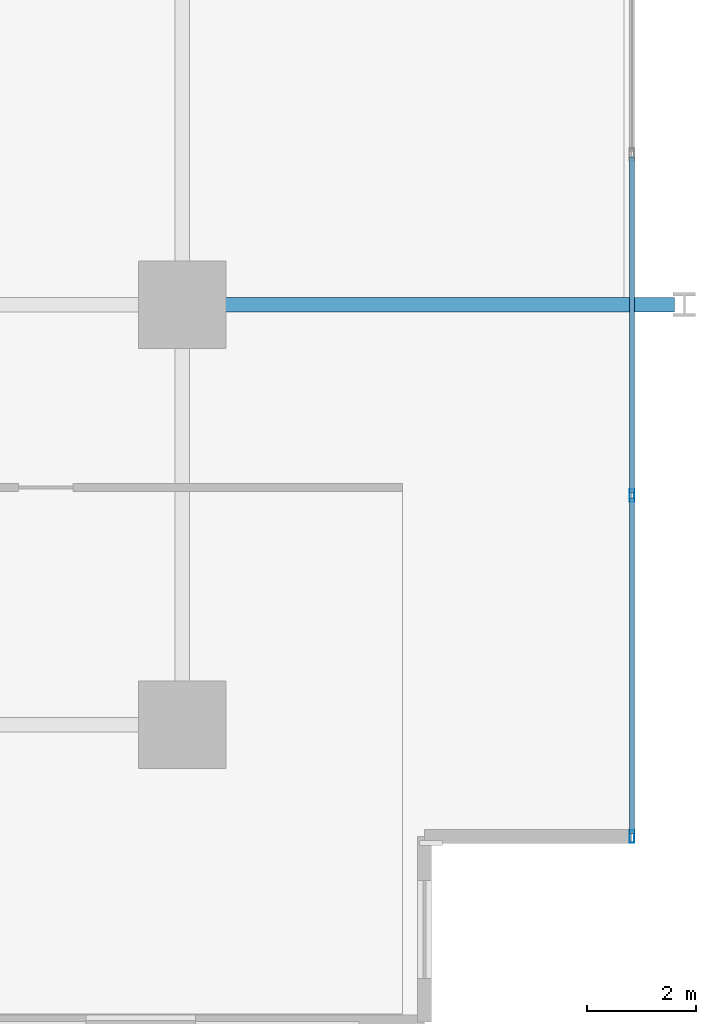
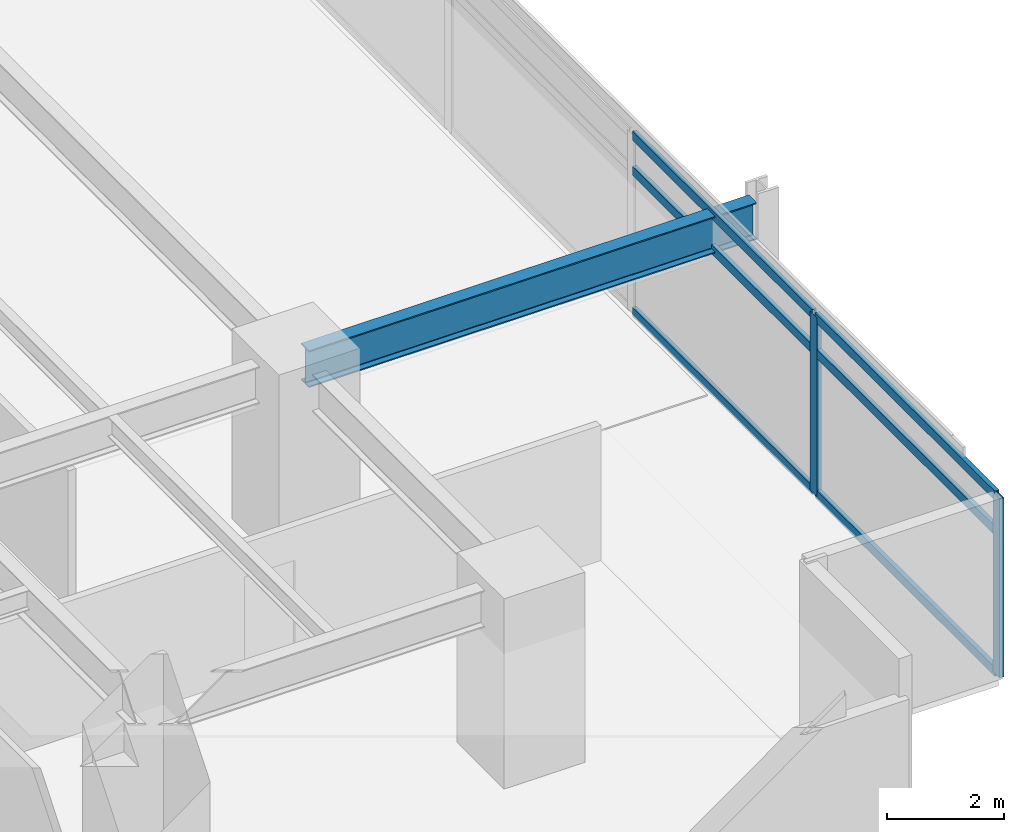
# One storey, part 6 of 22: 8 members, 1 beam, 1 element without a shape of its own.
"""IFC4 building model written with IfcOpenShell, lengths in metres."""

import ifcopenshell
import ifcopenshell.guid

model = None  # the IFC model being written
_history = None  # IfcOwnerHistory: only IFC2X3 demands one
_inside = {}  # id of a spatial element -> (the spatial element, [elements in it])
_under = {}  # id of a project, library or spatial element -> (it, [spatial elements below it])
_declared = {}  # id of a project -> (the project, [libraries it declares])
_typed = {}  # id of a type object -> (the type object, [elements of that type])
_made_of = {}  # id of a material, layer set ... -> (it, [elements and type objects made of it])


def new_model(schema):
    """Start an empty IFC model of exactly this schema.

    Asked for "IFC4X3", IfcOpenShell would pick the latest addendum, in which some entities
    have other attributes; the version numbers below select the first issue.
    IFC2X3 requires an IfcOwnerHistory on every rooted entity: one is made here for all.
    """
    global model, _history
    if schema == "IFC4X3":
        model = ifcopenshell.file(schema_version=(4, 3, 0, 0))
    else:
        model = ifcopenshell.file(schema=schema)
    _inside.clear()
    _under.clear()
    _declared.clear()
    _typed.clear()
    _made_of.clear()
    _history = None
    if model.schema == "IFC2X3":
        org = make("IfcOrganization", Name="unknown")
        user = make(
            "IfcPersonAndOrganization",
            ThePerson=make("IfcPerson", FamilyName="unknown"),
            TheOrganization=org,
        )
        app = make(
            "IfcApplication",
            ApplicationDeveloper=org,
            Version="unknown",
            ApplicationFullName="unknown",
            ApplicationIdentifier="unknown",
        )
        _history = make(
            "IfcOwnerHistory",
            OwningUser=user,
            OwningApplication=app,
            ChangeAction="ADDED",
            CreationDate=0,
        )
    return model


def make(cls, **values):
    """One entity of the class cls with the attributes given. An attribute that is None is left unset."""
    return model.create_entity(
        cls, **{name: value for name, value in values.items() if value is not None}
    )


def rooted(cls, **values):
    """An entity with a GlobalId (a new one), such as an element, a storey or a relation."""
    return make(cls, GlobalId=ifcopenshell.guid.new(), OwnerHistory=_history, **values)


def si_unit(unit_type, name, prefix=None):
    """IfcSIUnit, for example si_unit("LENGTHUNIT", "METRE", prefix="MILLI")."""
    return make("IfcSIUnit", UnitType=unit_type, Prefix=prefix, Name=name)


def assignment(units):
    """IfcUnitAssignment: the units of a project."""
    return None if units is None else make("IfcUnitAssignment", Units=units)


def point(xyz):
    """IfcCartesianPoint."""
    return None if xyz is None else make("IfcCartesianPoint", Coordinates=xyz)


def direction(xyz):
    """IfcDirection."""
    return None if xyz is None else make("IfcDirection", DirectionRatios=xyz)


def frame(location, z_axis=None, x_axis=None):
    """IfcAxis2Placement3D, a coordinate frame: its origin and axes. An axis left out is left unset."""
    return make(
        "IfcAxis2Placement3D",
        Location=point(location),
        Axis=direction(z_axis),
        RefDirection=direction(x_axis),
    )


def frame_2d(location, x_axis=None):
    """IfcAxis2Placement2D, a coordinate frame in the plane: its origin and x axis."""
    return make(
        "IfcAxis2Placement2D", Location=point(location), RefDirection=direction(x_axis)
    )


def origin():
    """The frame at (0, 0, 0) with its axes left unset."""
    return frame((0.0, 0.0, 0.0))


def origin_2d():
    """The frame at (0, 0) in the plane with its x axis left unset."""
    return frame_2d((0.0, 0.0))


def place(relative_to, where):
    """IfcLocalPlacement: puts the frame where relative to a parent placement (None: the world)."""
    return make(
        "IfcLocalPlacement", PlacementRelTo=relative_to, RelativePlacement=where
    )


def context(
    kind, dimensions, precision=None, world=None, true_north=None, identifier=None
):
    """IfcGeometricRepresentationContext, for example the 3D "Model" context."""
    return make(
        "IfcGeometricRepresentationContext",
        ContextIdentifier=identifier,
        ContextType=kind,
        CoordinateSpaceDimension=dimensions,
        Precision=precision,
        WorldCoordinateSystem=world,
        TrueNorth=true_north,
    )


def subcontext(parent, identifier, kind, view, scale=None):
    """IfcGeometricRepresentationSubContext, for example "Body" below "Model"."""
    return make(
        "IfcGeometricRepresentationSubContext",
        ContextIdentifier=identifier,
        ContextType=kind,
        ParentContext=parent,
        TargetScale=scale,
        TargetView=view,
    )


def project(units=None, contexts=None):
    """IfcProject with its units and contexts."""
    return rooted(
        "IfcProject",
        Name="project",
        RepresentationContexts=contexts,
        UnitsInContext=assignment(units),
    )


def spatial(cls, under=None, at=None, **own):
    """A site, building, storey or space (cls), placed at a placement, below another one or the project."""
    s = rooted(cls, ObjectPlacement=at, **own)
    if under is not None:
        _under.setdefault(under.id(), (under, []))[1].append(s)
    return s


def profile(cls, at=None, kind="AREA", **sizes):
    """A parametric profile (cls). Its sizes go by their IFC names, for example OverallWidth=200.0."""
    return make(cls, ProfileType=kind, Position=at, **sizes)


def hollow_rectangle(**sizes):
    """IfcRectangleHollowProfileDef."""
    return profile("IfcRectangleHollowProfileDef", **sizes)


def i_section(**sizes):
    """IfcIShapeProfileDef."""
    return profile("IfcIShapeProfileDef", **sizes)


def extrude(swept, where, along, depth):
    """IfcExtrudedAreaSolid: the profile swept, set in the frame where, extruded along a direction by depth."""
    return make(
        "IfcExtrudedAreaSolid",
        SweptArea=swept,
        Position=where,
        ExtrudedDirection=direction(along),
        Depth=depth,
    )


def shape(context_of_items, identifier, shape_type, items):
    """IfcShapeRepresentation: the items that make up one representation, for example the "Body"."""
    return make(
        "IfcShapeRepresentation",
        ContextOfItems=context_of_items,
        RepresentationIdentifier=identifier,
        RepresentationType=shape_type,
        Items=items,
    )


def material(Name=None, Category=None):
    """IfcMaterial."""
    return make("IfcMaterial", Name=Name, Category=Category)


def material_profile(
    of_material, cross_section, Name=None, Category=None, Priority=None
):
    """IfcMaterialProfile: a cross section and its material."""
    return make(
        "IfcMaterialProfile",
        Name=Name,
        Material=of_material,
        Profile=cross_section,
        Priority=Priority,
        Category=Category,
    )


def profile_set(profiles, Name=None, composite=None):
    """IfcMaterialProfileSet."""
    return make(
        "IfcMaterialProfileSet",
        Name=Name,
        MaterialProfiles=profiles,
        CompositeProfile=composite,
    )


def made_of(thing, what):
    """Note that an element or type object is made of a material, layer set ...; save() writes the relation."""
    if what is not None:
        _made_of.setdefault(what.id(), (what, []))[1].append(thing)
    return thing


def type_object(cls, material=None, **own):
    """A type object (cls), such as IfcWallType, which elements share."""
    return made_of(rooted(cls, **own), material)


def element(
    cls,
    number,
    at=None,
    inside=None,
    cuts=None,
    type_object=None,
    material=None,
    context=None,
    identifier="Body",
    shape_type=None,
    held_by="IfcProductDefinitionShape",
    body=None,
    shapes=None,
    **own,
):
    """One element of the class cls, such as IfcWall. Its Tag is "e" and its number.

    at: its placement. inside: the storey or other place that contains it. cuts: it is an
    opening in that element (IfcRelVoidsElement). A single representation is given by context,
    identifier, shape_type and body (its items); several are given by shapes. held_by: the class
    of the entity that holds the representations. save() writes the other relations.
    """
    e = rooted(cls, Tag="e%d" % number, ObjectPlacement=at, **own)
    if body is not None:
        shapes = [shape(context, identifier, shape_type, body)]
    if shapes is not None:
        e.Representation = make(held_by, Representations=shapes)
    if inside is not None:
        _inside.setdefault(inside.id(), (inside, []))[1].append(e)
    if cuts is not None:
        rooted(
            "IfcRelVoidsElement", RelatingBuildingElement=cuts, RelatedOpeningElement=e
        )
    if type_object is not None:
        _typed.setdefault(type_object.id(), (type_object, []))[1].append(e)
    return made_of(e, material)


def aggregate(whole, parts):
    """IfcRelAggregates: a whole, such as a stair, and the parts it consists of."""
    return rooted("IfcRelAggregates", RelatingObject=whole, RelatedObjects=parts)


def save(model, path):
    """Write the relations noted so far, then the file.

    IfcRelAggregates (storeys below a building ...), IfcRelContainedInSpatialStructure (elements
    in a storey), IfcRelDefinesByType, IfcRelAssociatesMaterial and IfcRelDeclares: one each for
    every whole, place, type object, material and project.
    """
    for whole, parts in _under.values():
        aggregate(whole, parts)
    for where, things in _inside.values():
        rooted(
            "IfcRelContainedInSpatialStructure",
            RelatedElements=things,
            RelatingStructure=where,
        )
    for kind, things in _typed.values():
        rooted("IfcRelDefinesByType", RelatedObjects=things, RelatingType=kind)
    for what, things in _made_of.values():
        rooted("IfcRelAssociatesMaterial", RelatedObjects=things, RelatingMaterial=what)
    for by, libraries in _declared.values():
        rooted("IfcRelDeclares", RelatingContext=by, RelatedDefinitions=libraries)
    model.write(path)


model = new_model("IFC4")

# Units and contexts
model_context = context("Model", 3, precision=1e-05, world=origin(), true_north=direction((0.0, 1.0)))
body_context = subcontext(model_context, "Body", "Model", "MODEL_VIEW")
ifc_project = project(units=[si_unit("LENGTHUNIT", "METRE"), si_unit("AREAUNIT", "SQUARE_METRE"), si_unit("VOLUMEUNIT", "CUBIC_METRE"), si_unit("PLANEANGLEUNIT", "RADIAN"), si_unit("MASSUNIT", "GRAM", prefix="KILO")], contexts=[model_context])

# Site, building, storey
site_placement = place(None, origin())
site = spatial("IfcSite", under=ifc_project, at=site_placement, CompositionType="ELEMENT")
building_placement = place(site_placement, origin())
building = spatial("IfcBuilding", under=site, at=building_placement, Name="Kovane Verandah Tower", CompositionType="ELEMENT")
storey_placement = place(building_placement, frame((0.0, 0.0, 156.39990234375)))
storey = spatial("IfcBuildingStorey", under=building, at=storey_placement, Name="L36", CompositionType="ELEMENT", Elevation=156.39990234375)

# Beam
ifc_material_1 = material(Name="Steel S355", Category="steel")
ifc_material_profile_1 = material_profile(ifc_material_1, i_section(OverallWidth=0.26806640625, OverallDepth=0.769775390625, WebThickness=0.015625, FlangeThickness=0.025390625, FilletRadius=0.0166015625, at=origin_2d()), Name="UB762x267x197")
ifc_profile_set_1 = profile_set([ifc_material_profile_1], Name="Steel S355")
beam_type = type_object("IfcBeamType", Name="BM-UB762x197", PredefinedType="BEAM", material=ifc_profile_set_1)
beam_placement = place(storey_placement, frame((58.580078125, 18.5, 3.375244140625), z_axis=(1.0, 0.0, 0.0), x_axis=(0.0, 1.0, 0.0)))
element("IfcBeam", 1, at=beam_placement, inside=storey, type_object=beam_type, Name="L36 Primary Tower Girder G-VE1", PredefinedType="BEAM", context=body_context, shape_type="SweptSolid", body=[
    extrude(i_section(OverallWidth=0.26806640625, OverallDepth=0.769775390625, WebThickness=0.015625, FlangeThickness=0.025390625, FilletRadius=0.0166015625, at=origin_2d()), origin(), (0.0, 0.0, 1.0), 8.83984375),
])

# Curtain wall, members
ifc_material_2 = material(Name="Champagne Anodised Aluminium Frame with Low-E Clear Laminated Glass", Category="aluminium")
curtain_wall_type = type_object("IfcCurtainWallType", Name="CW-SYS-03-MID", PredefinedType="NOTDEFINED", material=ifc_material_2)
curtain_wall_placement = place(storey_placement, origin())
curtain_wall = element("IfcCurtainWall", 2, at=curtain_wall_placement, inside=storey, type_object=curtain_wall_type, Name="L36 E Unitised Curtain Wall", PredefinedType="NOTDEFINED")
ifc_material_3 = material(Name="Champagne Anodised Aluminium 6063-T6", Category="aluminium")
ifc_material_profile_2 = material_profile(ifc_material_3, hollow_rectangle(XDim=0.0849609375, YDim=0.22998046875, WallThickness=0.00390625, at=origin_2d()), Name="AL85x230x4")
ifc_profile_set_2 = profile_set([ifc_material_profile_2], Name="Champagne Anodised Aluminium 6063-T6")
member_type_1 = type_object("IfcMemberType", Name="CW-MUL-85x230", PredefinedType="MULLION", material=ifc_profile_set_2)
member_1_placement = place(storey_placement, frame((66.64208984375, 8.75390625, 0.02001953125), z_axis=(0.0, 0.0, 1.0), x_axis=(1.0, 0.0, 0.0)))
member_1 = element("IfcMember", 3, at=member_1_placement, type_object=member_type_1, Name="L36 E Unitised Curtain Wall Mullion 1", PredefinedType="MULLION", context=body_context, shape_type="SweptSolid", body=[
    extrude(hollow_rectangle(XDim=0.0849609375, YDim=0.22998046875, WallThickness=0.00390625, at=origin_2d()), origin(), (0.0, 0.0, 1.0), 3.735107421875),
])
member_2_placement = place(storey_placement, frame((66.64208984375, 15.00244140625, 0.02001953125), z_axis=(0.0, 0.0, 1.0), x_axis=(1.0, 0.0, 0.0)))
member_2 = element("IfcMember", 4, at=member_2_placement, type_object=member_type_1, Name="L36 E Unitised Curtain Wall Mullion 2", PredefinedType="MULLION", context=body_context, shape_type="SweptSolid", body=[
    extrude(hollow_rectangle(XDim=0.0849609375, YDim=0.22998046875, WallThickness=0.00390625, at=origin_2d()), origin(), (0.0, 0.0, 1.0), 3.735107421875),
])
ifc_material_profile_3 = material_profile(ifc_material_3, hollow_rectangle(XDim=0.0849609375, YDim=0.18994140625, WallThickness=0.00390625, at=origin_2d()), Name="AL85x190x4")
ifc_profile_set_3 = profile_set([ifc_material_profile_3], Name="Champagne Anodised Aluminium 6063-T6")
member_type_2 = type_object("IfcMemberType", Name="CW-TRN-85x190", PredefinedType="USERDEFINED", material=ifc_profile_set_3)
member_3_placement = place(storey_placement, frame((66.64208984375, 8.8037109375, 0.050048828125), z_axis=(0.0, 1.0, 0.0), x_axis=(-1.0, 0.0, 0.0)))
member_3 = element("IfcMember", 5, at=member_3_placement, type_object=member_type_2, Name="L36 E Unitised Curtain Wall Transom TB Bay 1", ObjectType="TRANSOM", PredefinedType="USERDEFINED", context=body_context, shape_type="SweptSolid", body=[
    extrude(hollow_rectangle(XDim=0.0849609375, YDim=0.18994140625, WallThickness=0.00390625, at=origin_2d()), origin(), (0.0, 0.0, 1.0), 6.148681640625),
])
member_4_placement = place(storey_placement, frame((66.64208984375, 8.8037109375, 2.9951171875), z_axis=(0.0, 1.0, 0.0), x_axis=(-1.0, 0.0, 0.0)))
member_4 = element("IfcMember", 6, at=member_4_placement, type_object=member_type_2, Name="L36 E Unitised Curtain Wall Transom TM Bay 1", ObjectType="TRANSOM", PredefinedType="USERDEFINED", context=body_context, shape_type="SweptSolid", body=[
    extrude(hollow_rectangle(XDim=0.0849609375, YDim=0.18994140625, WallThickness=0.00390625, at=origin_2d()), origin(), (0.0, 0.0, 1.0), 6.148681640625),
])
member_5_placement = place(storey_placement, frame((66.64208984375, 8.8037109375, 3.72509765625), z_axis=(0.0, 1.0, 0.0), x_axis=(-1.0, 0.0, 0.0)))
member_5 = element("IfcMember", 7, at=member_5_placement, type_object=member_type_2, Name="L36 E Unitised Curtain Wall Transom TT Bay 1", ObjectType="TRANSOM", PredefinedType="USERDEFINED", context=body_context, shape_type="SweptSolid", body=[
    extrude(hollow_rectangle(XDim=0.0849609375, YDim=0.18994140625, WallThickness=0.00390625, at=origin_2d()), origin(), (0.0, 0.0, 1.0), 6.148681640625),
])
member_6_placement = place(storey_placement, frame((66.64208984375, 15.052490234375, 0.050048828125), z_axis=(0.0, 1.0, 0.0), x_axis=(-1.0, 0.0, 0.0)))
member_6 = element("IfcMember", 8, at=member_6_placement, type_object=member_type_2, Name="L36 E Unitised Curtain Wall Transom TB Bay 2", ObjectType="TRANSOM", PredefinedType="USERDEFINED", context=body_context, shape_type="SweptSolid", body=[
    extrude(hollow_rectangle(XDim=0.0849609375, YDim=0.18994140625, WallThickness=0.00390625, at=origin_2d()), origin(), (0.0, 0.0, 1.0), 6.14892578125),
])
member_7_placement = place(storey_placement, frame((66.64208984375, 15.052490234375, 2.9951171875), z_axis=(0.0, 1.0, 0.0), x_axis=(-1.0, 0.0, 0.0)))
member_7 = element("IfcMember", 9, at=member_7_placement, type_object=member_type_2, Name="L36 E Unitised Curtain Wall Transom TM Bay 2", ObjectType="TRANSOM", PredefinedType="USERDEFINED", context=body_context, shape_type="SweptSolid", body=[
    extrude(hollow_rectangle(XDim=0.0849609375, YDim=0.18994140625, WallThickness=0.00390625, at=origin_2d()), origin(), (0.0, 0.0, 1.0), 6.14892578125),
])
member_8_placement = place(storey_placement, frame((66.64208984375, 15.052490234375, 3.72509765625), z_axis=(0.0, 1.0, 0.0), x_axis=(-1.0, 0.0, 0.0)))
member_8 = element("IfcMember", 10, at=member_8_placement, type_object=member_type_2, Name="L36 E Unitised Curtain Wall Transom TT Bay 2", ObjectType="TRANSOM", PredefinedType="USERDEFINED", context=body_context, shape_type="SweptSolid", body=[
    extrude(hollow_rectangle(XDim=0.0849609375, YDim=0.18994140625, WallThickness=0.00390625, at=origin_2d()), origin(), (0.0, 0.0, 1.0), 6.14892578125),
])
aggregate(curtain_wall, [member_1, member_2, member_3, member_4, member_5, member_6, member_7, member_8])

save(model, "model.ifc")
